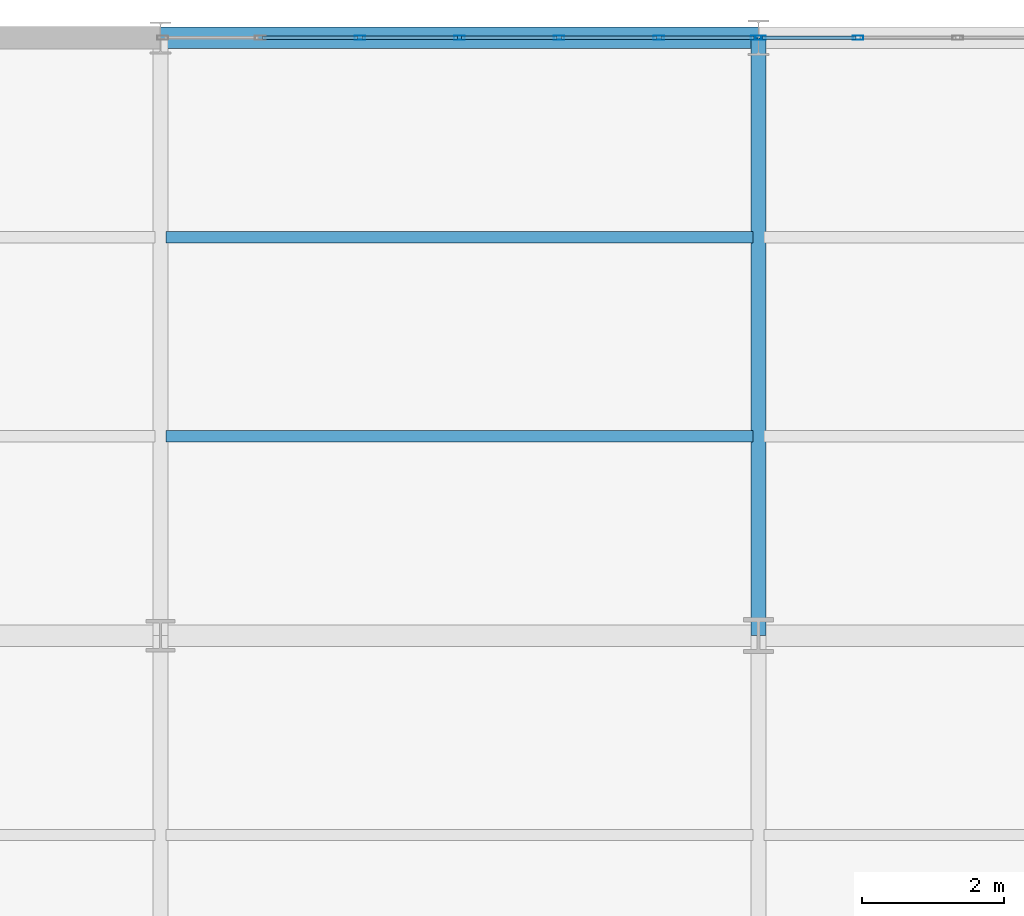
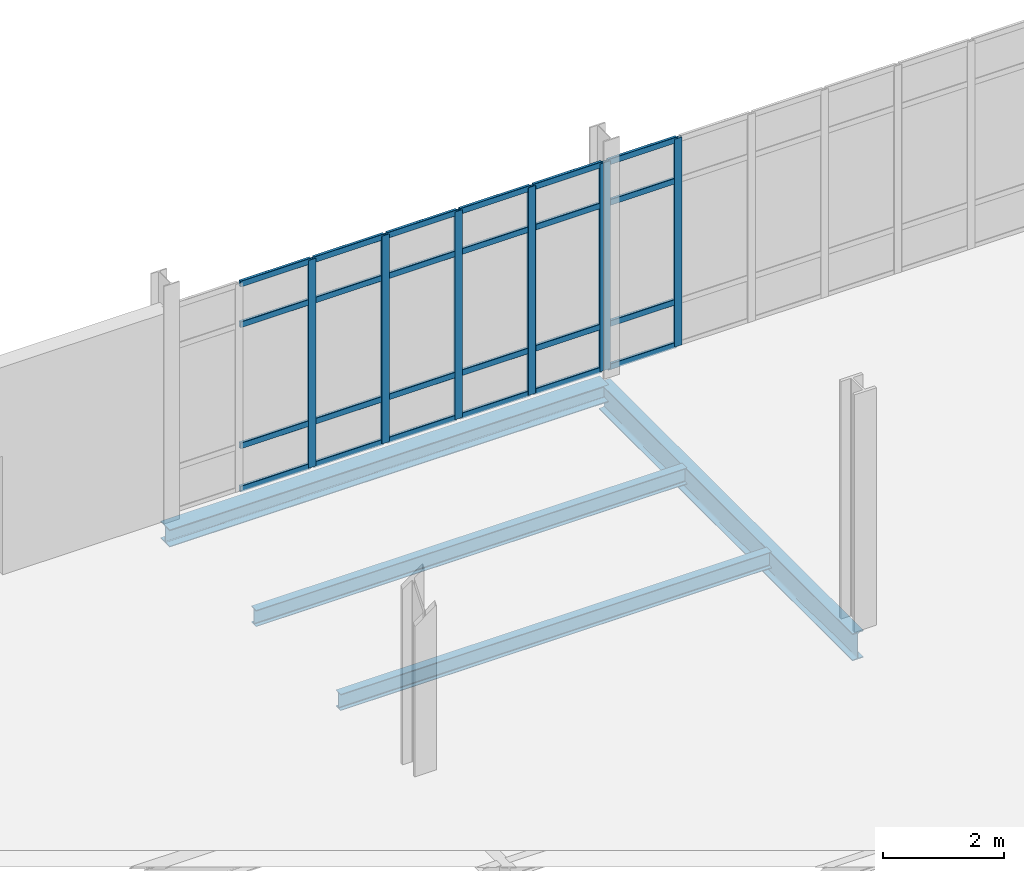
# One storey, part 91 of 145: 31 members, 4 beams, 2 elements without a shape of their own.
"""IFC4 building model written with IfcOpenShell, lengths in metres."""

import ifcopenshell
import ifcopenshell.guid

model = None  # the IFC model being written
_history = None  # IfcOwnerHistory: only IFC2X3 demands one
_inside = {}  # id of a spatial element -> (the spatial element, [elements in it])
_under = {}  # id of a project, library or spatial element -> (it, [spatial elements below it])
_declared = {}  # id of a project -> (the project, [libraries it declares])
_typed = {}  # id of a type object -> (the type object, [elements of that type])
_made_of = {}  # id of a material, layer set ... -> (it, [elements and type objects made of it])


def new_model(schema):
    """Start an empty IFC model of exactly this schema.

    Asked for "IFC4X3", IfcOpenShell would pick the latest addendum, in which some entities
    have other attributes; the version numbers below select the first issue.
    IFC2X3 requires an IfcOwnerHistory on every rooted entity: one is made here for all.
    """
    global model, _history
    if schema == "IFC4X3":
        model = ifcopenshell.file(schema_version=(4, 3, 0, 0))
    else:
        model = ifcopenshell.file(schema=schema)
    _inside.clear()
    _under.clear()
    _declared.clear()
    _typed.clear()
    _made_of.clear()
    _history = None
    if model.schema == "IFC2X3":
        org = make("IfcOrganization", Name="unknown")
        user = make(
            "IfcPersonAndOrganization",
            ThePerson=make("IfcPerson", FamilyName="unknown"),
            TheOrganization=org,
        )
        app = make(
            "IfcApplication",
            ApplicationDeveloper=org,
            Version="unknown",
            ApplicationFullName="unknown",
            ApplicationIdentifier="unknown",
        )
        _history = make(
            "IfcOwnerHistory",
            OwningUser=user,
            OwningApplication=app,
            ChangeAction="ADDED",
            CreationDate=0,
        )
    return model


def make(cls, **values):
    """One entity of the class cls with the attributes given. An attribute that is None is left unset."""
    return model.create_entity(
        cls, **{name: value for name, value in values.items() if value is not None}
    )


def rooted(cls, **values):
    """An entity with a GlobalId (a new one), such as an element, a storey or a relation."""
    return make(cls, GlobalId=ifcopenshell.guid.new(), OwnerHistory=_history, **values)


def si_unit(unit_type, name, prefix=None):
    """IfcSIUnit, for example si_unit("LENGTHUNIT", "METRE", prefix="MILLI")."""
    return make("IfcSIUnit", UnitType=unit_type, Prefix=prefix, Name=name)


def assignment(units):
    """IfcUnitAssignment: the units of a project."""
    return None if units is None else make("IfcUnitAssignment", Units=units)


def point(xyz):
    """IfcCartesianPoint."""
    return None if xyz is None else make("IfcCartesianPoint", Coordinates=xyz)


def direction(xyz):
    """IfcDirection."""
    return None if xyz is None else make("IfcDirection", DirectionRatios=xyz)


def frame(location, z_axis=None, x_axis=None):
    """IfcAxis2Placement3D, a coordinate frame: its origin and axes. An axis left out is left unset."""
    return make(
        "IfcAxis2Placement3D",
        Location=point(location),
        Axis=direction(z_axis),
        RefDirection=direction(x_axis),
    )


def frame_2d(location, x_axis=None):
    """IfcAxis2Placement2D, a coordinate frame in the plane: its origin and x axis."""
    return make(
        "IfcAxis2Placement2D", Location=point(location), RefDirection=direction(x_axis)
    )


def origin():
    """The frame at (0, 0, 0) with its axes left unset."""
    return frame((0.0, 0.0, 0.0))


def origin_2d():
    """The frame at (0, 0) in the plane with its x axis left unset."""
    return frame_2d((0.0, 0.0))


def place(relative_to, where):
    """IfcLocalPlacement: puts the frame where relative to a parent placement (None: the world)."""
    return make(
        "IfcLocalPlacement", PlacementRelTo=relative_to, RelativePlacement=where
    )


def context(
    kind, dimensions, precision=None, world=None, true_north=None, identifier=None
):
    """IfcGeometricRepresentationContext, for example the 3D "Model" context."""
    return make(
        "IfcGeometricRepresentationContext",
        ContextIdentifier=identifier,
        ContextType=kind,
        CoordinateSpaceDimension=dimensions,
        Precision=precision,
        WorldCoordinateSystem=world,
        TrueNorth=true_north,
    )


def subcontext(parent, identifier, kind, view, scale=None):
    """IfcGeometricRepresentationSubContext, for example "Body" below "Model"."""
    return make(
        "IfcGeometricRepresentationSubContext",
        ContextIdentifier=identifier,
        ContextType=kind,
        ParentContext=parent,
        TargetScale=scale,
        TargetView=view,
    )


def project(units=None, contexts=None):
    """IfcProject with its units and contexts."""
    return rooted(
        "IfcProject",
        Name="project",
        RepresentationContexts=contexts,
        UnitsInContext=assignment(units),
    )


def spatial(cls, under=None, at=None, **own):
    """A site, building, storey or space (cls), placed at a placement, below another one or the project."""
    s = rooted(cls, ObjectPlacement=at, **own)
    if under is not None:
        _under.setdefault(under.id(), (under, []))[1].append(s)
    return s


def profile(cls, at=None, kind="AREA", **sizes):
    """A parametric profile (cls). Its sizes go by their IFC names, for example OverallWidth=200.0."""
    return make(cls, ProfileType=kind, Position=at, **sizes)


def hollow_rectangle(**sizes):
    """IfcRectangleHollowProfileDef."""
    return profile("IfcRectangleHollowProfileDef", **sizes)


def i_section(**sizes):
    """IfcIShapeProfileDef."""
    return profile("IfcIShapeProfileDef", **sizes)


def extrude(swept, where, along, depth):
    """IfcExtrudedAreaSolid: the profile swept, set in the frame where, extruded along a direction by depth."""
    return make(
        "IfcExtrudedAreaSolid",
        SweptArea=swept,
        Position=where,
        ExtrudedDirection=direction(along),
        Depth=depth,
    )


def shape(context_of_items, identifier, shape_type, items):
    """IfcShapeRepresentation: the items that make up one representation, for example the "Body"."""
    return make(
        "IfcShapeRepresentation",
        ContextOfItems=context_of_items,
        RepresentationIdentifier=identifier,
        RepresentationType=shape_type,
        Items=items,
    )


def material(Name=None, Category=None):
    """IfcMaterial."""
    return make("IfcMaterial", Name=Name, Category=Category)


def layer(
    of_material, thickness, ventilated=None, Name=None, Category=None, Priority=None
):
    """IfcMaterialLayer: one layer of a wall or slab, of a material (None: an air gap)."""
    return make(
        "IfcMaterialLayer",
        Material=of_material,
        LayerThickness=thickness,
        IsVentilated=ventilated,
        Name=Name,
        Category=Category,
        Priority=Priority,
    )


def layer_set(layers, Name=None):
    """IfcMaterialLayerSet."""
    return make("IfcMaterialLayerSet", MaterialLayers=layers, LayerSetName=Name)


def material_profile(
    of_material, cross_section, Name=None, Category=None, Priority=None
):
    """IfcMaterialProfile: a cross section and its material."""
    return make(
        "IfcMaterialProfile",
        Name=Name,
        Material=of_material,
        Profile=cross_section,
        Priority=Priority,
        Category=Category,
    )


def profile_set(profiles, Name=None, composite=None):
    """IfcMaterialProfileSet."""
    return make(
        "IfcMaterialProfileSet",
        Name=Name,
        MaterialProfiles=profiles,
        CompositeProfile=composite,
    )


def made_of(thing, what):
    """Note that an element or type object is made of a material, layer set ...; save() writes the relation."""
    if what is not None:
        _made_of.setdefault(what.id(), (what, []))[1].append(thing)
    return thing


def type_object(cls, material=None, **own):
    """A type object (cls), such as IfcWallType, which elements share."""
    return made_of(rooted(cls, **own), material)


def element(
    cls,
    number,
    at=None,
    inside=None,
    cuts=None,
    type_object=None,
    material=None,
    context=None,
    identifier="Body",
    shape_type=None,
    held_by="IfcProductDefinitionShape",
    body=None,
    shapes=None,
    **own,
):
    """One element of the class cls, such as IfcWall. Its Tag is "e" and its number.

    at: its placement. inside: the storey or other place that contains it. cuts: it is an
    opening in that element (IfcRelVoidsElement). A single representation is given by context,
    identifier, shape_type and body (its items); several are given by shapes. held_by: the class
    of the entity that holds the representations. save() writes the other relations.
    """
    e = rooted(cls, Tag="e%d" % number, ObjectPlacement=at, **own)
    if body is not None:
        shapes = [shape(context, identifier, shape_type, body)]
    if shapes is not None:
        e.Representation = make(held_by, Representations=shapes)
    if inside is not None:
        _inside.setdefault(inside.id(), (inside, []))[1].append(e)
    if cuts is not None:
        rooted(
            "IfcRelVoidsElement", RelatingBuildingElement=cuts, RelatedOpeningElement=e
        )
    if type_object is not None:
        _typed.setdefault(type_object.id(), (type_object, []))[1].append(e)
    return made_of(e, material)


def aggregate(whole, parts):
    """IfcRelAggregates: a whole, such as a stair, and the parts it consists of."""
    return rooted("IfcRelAggregates", RelatingObject=whole, RelatedObjects=parts)


def save(model, path):
    """Write the relations noted so far, then the file.

    IfcRelAggregates (storeys below a building ...), IfcRelContainedInSpatialStructure (elements
    in a storey), IfcRelDefinesByType, IfcRelAssociatesMaterial and IfcRelDeclares: one each for
    every whole, place, type object, material and project.
    """
    for whole, parts in _under.values():
        aggregate(whole, parts)
    for where, things in _inside.values():
        rooted(
            "IfcRelContainedInSpatialStructure",
            RelatedElements=things,
            RelatingStructure=where,
        )
    for kind, things in _typed.values():
        rooted("IfcRelDefinesByType", RelatedObjects=things, RelatingType=kind)
    for what, things in _made_of.values():
        rooted("IfcRelAssociatesMaterial", RelatedObjects=things, RelatingMaterial=what)
    for by, libraries in _declared.values():
        rooted("IfcRelDeclares", RelatingContext=by, RelatedDefinitions=libraries)
    model.write(path)


model = new_model("IFC4")

# Units and contexts
model_context = context("Model", 3, precision=1e-05, world=origin(), true_north=direction((0.0, 1.0)))
body_context = subcontext(model_context, "Body", "Model", "MODEL_VIEW")
ifc_project = project(units=[si_unit("LENGTHUNIT", "METRE"), si_unit("AREAUNIT", "SQUARE_METRE"), si_unit("VOLUMEUNIT", "CUBIC_METRE"), si_unit("PLANEANGLEUNIT", "RADIAN"), si_unit("MASSUNIT", "GRAM", prefix="KILO")], contexts=[model_context])

# Site, building, storey
site_placement = place(None, origin())
site = spatial("IfcSite", under=ifc_project, at=site_placement, CompositionType="ELEMENT")
building_placement = place(site_placement, origin())
building = spatial("IfcBuilding", under=site, at=building_placement, Name="Qalvenar Corner Mobility Hub", CompositionType="ELEMENT")
storey_placement = place(building_placement, origin())
storey = spatial("IfcBuildingStorey", under=building, at=storey_placement, Name="L00", CompositionType="ELEMENT", Elevation=0.0)

# Beams
ifc_material_1 = material(Name="Steel S355", Category="steel")
ifc_material_profile_1 = material_profile(ifc_material_1, i_section(OverallWidth=0.2099609375, OverallDepth=0.550048828125, WebThickness=0.010986328125, FlangeThickness=0.01708984375, FilletRadius=0.02392578125, at=origin_2d()), Name="IPE550")
ifc_profile_set_1 = profile_set([ifc_material_profile_1], Name="Steel S355")
beam_type_1 = type_object("IfcBeamType", Name="BM-IPE550", PredefinedType="BEAM", material=ifc_profile_set_1)
beam_1_placement = place(storey_placement, frame((117.60009765625, 109.199951171875, -0.4951171875), z_axis=(0.0, 1.0, 0.0), x_axis=(-1.0, 0.0, 0.0)))
element("IfcBeam", 1, at=beam_1_placement, inside=storey, type_object=beam_type_1, Name="Primary Steel Girder GY-0634", PredefinedType="BEAM", context=body_context, shape_type="SweptSolid", body=[
    extrude(i_section(OverallWidth=0.2099609375, OverallDepth=0.550048828125, WebThickness=0.010986328125, FlangeThickness=0.01708984375, FilletRadius=0.02392578125, at=origin_2d()), origin(), (0.0, 0.0, 1.0), 8.400146484375),
])
ifc_material_profile_2 = material_profile(ifc_material_1, i_section(OverallWidth=0.159912109375, OverallDepth=0.330078125, WebThickness=0.007568359375, FlangeThickness=0.011474609375, FilletRadius=0.01806640625, at=origin_2d()), Name="IPE330")
ifc_profile_set_2 = profile_set([ifc_material_profile_2], Name="Steel S355")
beam_type_2 = type_object("IfcBeamType", Name="BM-JST330", PredefinedType="JOIST", material=ifc_profile_set_2)
for number, where, z_axis, x_axis, name in (
    (2, (109.278076171875, 112.0, -0.385009765625), (1.0, 0.0, 0.0), (0.0, 1.0, 0.0), "Composite Floor Joist J-0727"),
    (3, (109.278076171875, 114.800048828125, -0.385009765625), (1.0, 0.0, 0.0), (0.0, 1.0, 0.0), "Composite Floor Joist J-0728"),
):
    element("IfcBeam", number, at=place(storey_placement, frame(where, z_axis=z_axis, x_axis=x_axis)), inside=storey, type_object=beam_type_2, Name=name, PredefinedType="JOIST", context=body_context, shape_type="SweptSolid", body=[
        extrude(i_section(OverallWidth=0.159912109375, OverallDepth=0.330078125, WebThickness=0.007568359375, FlangeThickness=0.011474609375, FilletRadius=0.01806640625, at=origin_2d()), origin(), (0.0, 0.0, 1.0), 8.243896484375),
    ])
ifc_material_profile_3 = material_profile(ifc_material_1, i_section(OverallWidth=0.300048828125, OverallDepth=0.35009765625, WebThickness=0.010009765625, FlangeThickness=0.017578125, FilletRadius=0.027099609375, at=origin_2d()), Name="HEA360")
ifc_profile_set_3 = profile_set([ifc_material_profile_3], Name="Steel S355")
beam_type_3 = type_object("IfcBeamType", Name="BM-SPN360", PredefinedType="SPANDREL", material=ifc_profile_set_3)
beam_2_placement = place(storey_placement, frame((109.199951171875, 117.60009765625, -0.39501953125), z_axis=(1.0, 0.0, 0.0), x_axis=(0.0, 1.0, 0.0)))
element("IfcBeam", 4, at=beam_2_placement, inside=storey, type_object=beam_type_3, Name="Primary Steel Girder GX-0586", PredefinedType="SPANDREL", context=body_context, shape_type="SweptSolid", body=[
    extrude(i_section(OverallWidth=0.300048828125, OverallDepth=0.35009765625, WebThickness=0.010009765625, FlangeThickness=0.017578125, FilletRadius=0.027099609375, at=origin_2d()), origin(), (0.0, 0.0, 1.0), 8.400146484375),
])

# Curtain wall, members
ifc_material_2 = material(Name="Anodised Aluminium and Low-E Glazing", Category="aluminium")
ifc_layer = layer(ifc_material_2, 0.14990234375)
ifc_layer_set = layer_set([ifc_layer], Name="Anodised Aluminium and Low-E Glazing")
curtain_wall_type = type_object("IfcCurtainWallType", Name="CW-MOB-84X46", PredefinedType="NOTDEFINED", material=ifc_layer_set)
curtain_wall_1_placement = place(storey_placement, origin())
curtain_wall_1 = element("IfcCurtainWall", 5, at=curtain_wall_1_placement, inside=storey, type_object=curtain_wall_type, Name="Glazed Curtain Wall CW-V4-L00-N6", PredefinedType="NOTDEFINED")
ifc_material_3 = material(Name="Anodised Aluminium 6063-T6", Category="aluminium")
ifc_material_profile_4 = material_profile(ifc_material_3, hollow_rectangle(XDim=0.06005859375, YDim=0.14990234375, WallThickness=0.00390625, InnerFilletRadius=0.00390625, OuterFilletRadius=0.008056640625, at=origin_2d()), Name="RHS150x60x4")
ifc_profile_set_4 = profile_set([ifc_material_profile_4], Name="Anodised Aluminium 6063-T6")
member_type_1 = type_object("IfcMemberType", Name="CW-MUL150", PredefinedType="MULLION", material=ifc_profile_set_4)
member_1_placement = place(storey_placement, frame((117.570068359375, 117.60009765625, 0.0), z_axis=(0.0, 0.0, 1.0), x_axis=(0.0, -1.0, 0.0)))
member_1 = element("IfcMember", 6, at=member_1_placement, type_object=member_type_1, Name="CW-03 mullion 1", PredefinedType="MULLION", context=body_context, shape_type="SweptSolid", body=[
    extrude(hollow_rectangle(XDim=0.06005859375, YDim=0.14990234375, WallThickness=0.00390625, InnerFilletRadius=0.00390625, OuterFilletRadius=0.008056640625, at=origin_2d()), origin(), (0.0, 0.0, 1.0), 4.199951171875),
])
member_2_placement = place(storey_placement, frame((116.199951171875, 117.60009765625, 0.0), z_axis=(0.0, 0.0, 1.0), x_axis=(0.0, -1.0, 0.0)))
member_2 = element("IfcMember", 7, at=member_2_placement, type_object=member_type_1, Name="CW-03 mullion 2", PredefinedType="MULLION", context=body_context, shape_type="SweptSolid", body=[
    extrude(hollow_rectangle(XDim=0.06005859375, YDim=0.14990234375, WallThickness=0.00390625, InnerFilletRadius=0.00390625, OuterFilletRadius=0.008056640625, at=origin_2d()), origin(), (0.0, 0.0, 1.0), 4.199951171875),
])
member_3_placement = place(storey_placement, frame((114.800048828125, 117.60009765625, 0.0), z_axis=(0.0, 0.0, 1.0), x_axis=(0.0, -1.0, 0.0)))
member_3 = element("IfcMember", 8, at=member_3_placement, type_object=member_type_1, Name="CW-03 mullion 3", PredefinedType="MULLION", context=body_context, shape_type="SweptSolid", body=[
    extrude(hollow_rectangle(XDim=0.06005859375, YDim=0.14990234375, WallThickness=0.00390625, InnerFilletRadius=0.00390625, OuterFilletRadius=0.008056640625, at=origin_2d()), origin(), (0.0, 0.0, 1.0), 4.199951171875),
])
member_4_placement = place(storey_placement, frame((113.39990234375, 117.60009765625, 0.0), z_axis=(0.0, 0.0, 1.0), x_axis=(0.0, -1.0, 0.0)))
member_4 = element("IfcMember", 9, at=member_4_placement, type_object=member_type_1, Name="CW-03 mullion 4", PredefinedType="MULLION", context=body_context, shape_type="SweptSolid", body=[
    extrude(hollow_rectangle(XDim=0.06005859375, YDim=0.14990234375, WallThickness=0.00390625, InnerFilletRadius=0.00390625, OuterFilletRadius=0.008056640625, at=origin_2d()), origin(), (0.0, 0.0, 1.0), 4.199951171875),
])
member_5_placement = place(storey_placement, frame((112.0, 117.60009765625, 0.0), z_axis=(0.0, 0.0, 1.0), x_axis=(0.0, -1.0, 0.0)))
member_5 = element("IfcMember", 10, at=member_5_placement, type_object=member_type_1, Name="CW-03 mullion 5", PredefinedType="MULLION", context=body_context, shape_type="SweptSolid", body=[
    extrude(hollow_rectangle(XDim=0.06005859375, YDim=0.14990234375, WallThickness=0.00390625, InnerFilletRadius=0.00390625, OuterFilletRadius=0.008056640625, at=origin_2d()), origin(), (0.0, 0.0, 1.0), 4.199951171875),
])

curtain_wall_2_placement = place(storey_placement, origin())
curtain_wall_2 = element("IfcCurtainWall", 11, at=curtain_wall_2_placement, inside=storey, type_object=curtain_wall_type, Name="Glazed Curtain Wall CW-V4-L00-N7", PredefinedType="NOTDEFINED")
member_6_placement = place(storey_placement, frame((119.0, 117.60009765625, 0.0), z_axis=(0.0, 0.0, 1.0), x_axis=(0.0, -1.0, 0.0)))
member_6 = element("IfcMember", 12, at=member_6_placement, type_object=member_type_1, Name="CW-03 mullion 6", PredefinedType="MULLION", context=body_context, shape_type="SweptSolid", body=[
    extrude(hollow_rectangle(XDim=0.06005859375, YDim=0.14990234375, WallThickness=0.00390625, InnerFilletRadius=0.00390625, OuterFilletRadius=0.008056640625, at=origin_2d()), origin(), (0.0, 0.0, 1.0), 4.199951171875),
])
member_7_placement = place(storey_placement, frame((117.6298828125, 117.60009765625, 0.0), z_axis=(0.0, 0.0, 1.0), x_axis=(0.0, -1.0, 0.0)))
member_7 = element("IfcMember", 13, at=member_7_placement, type_object=member_type_1, Name="CW-03 mullion 7", PredefinedType="MULLION", context=body_context, shape_type="SweptSolid", body=[
    extrude(hollow_rectangle(XDim=0.06005859375, YDim=0.14990234375, WallThickness=0.00390625, InnerFilletRadius=0.00390625, OuterFilletRadius=0.008056640625, at=origin_2d()), origin(), (0.0, 0.0, 1.0), 4.199951171875),
])

# Member
ifc_material_profile_5 = material_profile(ifc_material_3, hollow_rectangle(XDim=0.054931640625, YDim=0.1201171875, WallThickness=0.00341796875, InnerFilletRadius=0.00341796875, OuterFilletRadius=0.007080078125, at=origin_2d()), Name="RHS120x55x3.5")
ifc_profile_set_5 = profile_set([ifc_material_profile_5], Name="Anodised Aluminium 6063-T6")
member_type_2 = type_object("IfcMemberType", Name="CW-TRN120", PredefinedType="USERDEFINED", material=ifc_profile_set_5)
member_8_placement = place(storey_placement, frame((117.5400390625, 117.60009765625, 0.027587890625), z_axis=(-1.0, 0.0, 0.0), x_axis=(0.0, -1.0, 0.0)))
member_8 = element("IfcMember", 14, at=member_8_placement, type_object=member_type_2, Name="CW-03 transom 1.1", ObjectType="TRANSOM", PredefinedType="USERDEFINED", context=body_context, shape_type="SweptSolid", body=[
    extrude(hollow_rectangle(XDim=0.054931640625, YDim=0.1201171875, WallThickness=0.00341796875, InnerFilletRadius=0.00341796875, OuterFilletRadius=0.007080078125, at=origin_2d()), origin(), (0.0, 0.0, 1.0), 1.31005859375),
])

member_9_placement = place(storey_placement, frame((117.5400390625, 117.60009765625, 0.89990234375), z_axis=(-1.0, 0.0, 0.0), x_axis=(0.0, -1.0, 0.0)))
member_9 = element("IfcMember", 15, at=member_9_placement, type_object=member_type_2, Name="CW-03 transom 1.2", ObjectType="TRANSOM", PredefinedType="USERDEFINED", context=body_context, shape_type="SweptSolid", body=[
    extrude(hollow_rectangle(XDim=0.054931640625, YDim=0.1201171875, WallThickness=0.00341796875, InnerFilletRadius=0.00341796875, OuterFilletRadius=0.007080078125, at=origin_2d()), origin(), (0.0, 0.0, 1.0), 1.31005859375),
])

member_10_placement = place(storey_placement, frame((117.5400390625, 117.60009765625, 3.35009765625), z_axis=(-1.0, 0.0, 0.0), x_axis=(0.0, -1.0, 0.0)))
member_10 = element("IfcMember", 16, at=member_10_placement, type_object=member_type_2, Name="CW-03 transom 1.3", ObjectType="TRANSOM", PredefinedType="USERDEFINED", context=body_context, shape_type="SweptSolid", body=[
    extrude(hollow_rectangle(XDim=0.054931640625, YDim=0.1201171875, WallThickness=0.00341796875, InnerFilletRadius=0.00341796875, OuterFilletRadius=0.007080078125, at=origin_2d()), origin(), (0.0, 0.0, 1.0), 1.31005859375),
])

member_11_placement = place(storey_placement, frame((117.5400390625, 117.60009765625, 4.172607421875), z_axis=(-1.0, 0.0, 0.0), x_axis=(0.0, -1.0, 0.0)))
member_11 = element("IfcMember", 17, at=member_11_placement, type_object=member_type_2, Name="CW-03 transom 1.4", ObjectType="TRANSOM", PredefinedType="USERDEFINED", context=body_context, shape_type="SweptSolid", body=[
    extrude(hollow_rectangle(XDim=0.054931640625, YDim=0.1201171875, WallThickness=0.00341796875, InnerFilletRadius=0.00341796875, OuterFilletRadius=0.007080078125, at=origin_2d()), origin(), (0.0, 0.0, 1.0), 1.31005859375),
])

member_12_placement = place(storey_placement, frame((116.169921875, 117.60009765625, 0.027587890625), z_axis=(-1.0, 0.0, 0.0), x_axis=(0.0, -1.0, 0.0)))
member_12 = element("IfcMember", 18, at=member_12_placement, type_object=member_type_2, Name="CW-03 transom 2.1", ObjectType="TRANSOM", PredefinedType="USERDEFINED", context=body_context, shape_type="SweptSolid", body=[
    extrude(hollow_rectangle(XDim=0.054931640625, YDim=0.1201171875, WallThickness=0.00341796875, InnerFilletRadius=0.00341796875, OuterFilletRadius=0.007080078125, at=origin_2d()), origin(), (0.0, 0.0, 1.0), 1.33984375),
])

member_13_placement = place(storey_placement, frame((116.169921875, 117.60009765625, 0.89990234375), z_axis=(-1.0, 0.0, 0.0), x_axis=(0.0, -1.0, 0.0)))
member_13 = element("IfcMember", 19, at=member_13_placement, type_object=member_type_2, Name="CW-03 transom 2.2", ObjectType="TRANSOM", PredefinedType="USERDEFINED", context=body_context, shape_type="SweptSolid", body=[
    extrude(hollow_rectangle(XDim=0.054931640625, YDim=0.1201171875, WallThickness=0.00341796875, InnerFilletRadius=0.00341796875, OuterFilletRadius=0.007080078125, at=origin_2d()), origin(), (0.0, 0.0, 1.0), 1.33984375),
])

member_14_placement = place(storey_placement, frame((116.169921875, 117.60009765625, 3.35009765625), z_axis=(-1.0, 0.0, 0.0), x_axis=(0.0, -1.0, 0.0)))
member_14 = element("IfcMember", 20, at=member_14_placement, type_object=member_type_2, Name="CW-03 transom 2.3", ObjectType="TRANSOM", PredefinedType="USERDEFINED", context=body_context, shape_type="SweptSolid", body=[
    extrude(hollow_rectangle(XDim=0.054931640625, YDim=0.1201171875, WallThickness=0.00341796875, InnerFilletRadius=0.00341796875, OuterFilletRadius=0.007080078125, at=origin_2d()), origin(), (0.0, 0.0, 1.0), 1.33984375),
])

member_15_placement = place(storey_placement, frame((116.169921875, 117.60009765625, 4.172607421875), z_axis=(-1.0, 0.0, 0.0), x_axis=(0.0, -1.0, 0.0)))
member_15 = element("IfcMember", 21, at=member_15_placement, type_object=member_type_2, Name="CW-03 transom 2.4", ObjectType="TRANSOM", PredefinedType="USERDEFINED", context=body_context, shape_type="SweptSolid", body=[
    extrude(hollow_rectangle(XDim=0.054931640625, YDim=0.1201171875, WallThickness=0.00341796875, InnerFilletRadius=0.00341796875, OuterFilletRadius=0.007080078125, at=origin_2d()), origin(), (0.0, 0.0, 1.0), 1.33984375),
])

member_16_placement = place(storey_placement, frame((114.77001953125, 117.60009765625, 0.027587890625), z_axis=(-1.0, 0.0, 0.0), x_axis=(0.0, -1.0, 0.0)))
member_16 = element("IfcMember", 22, at=member_16_placement, type_object=member_type_2, Name="CW-03 transom 3.1", ObjectType="TRANSOM", PredefinedType="USERDEFINED", context=body_context, shape_type="SweptSolid", body=[
    extrude(hollow_rectangle(XDim=0.054931640625, YDim=0.1201171875, WallThickness=0.00341796875, InnerFilletRadius=0.00341796875, OuterFilletRadius=0.007080078125, at=origin_2d()), origin(), (0.0, 0.0, 1.0), 1.340087890625),
])

member_17_placement = place(storey_placement, frame((114.77001953125, 117.60009765625, 0.89990234375), z_axis=(-1.0, 0.0, 0.0), x_axis=(0.0, -1.0, 0.0)))
member_17 = element("IfcMember", 23, at=member_17_placement, type_object=member_type_2, Name="CW-03 transom 3.2", ObjectType="TRANSOM", PredefinedType="USERDEFINED", context=body_context, shape_type="SweptSolid", body=[
    extrude(hollow_rectangle(XDim=0.054931640625, YDim=0.1201171875, WallThickness=0.00341796875, InnerFilletRadius=0.00341796875, OuterFilletRadius=0.007080078125, at=origin_2d()), origin(), (0.0, 0.0, 1.0), 1.340087890625),
])

member_18_placement = place(storey_placement, frame((114.77001953125, 117.60009765625, 3.35009765625), z_axis=(-1.0, 0.0, 0.0), x_axis=(0.0, -1.0, 0.0)))
member_18 = element("IfcMember", 24, at=member_18_placement, type_object=member_type_2, Name="CW-03 transom 3.3", ObjectType="TRANSOM", PredefinedType="USERDEFINED", context=body_context, shape_type="SweptSolid", body=[
    extrude(hollow_rectangle(XDim=0.054931640625, YDim=0.1201171875, WallThickness=0.00341796875, InnerFilletRadius=0.00341796875, OuterFilletRadius=0.007080078125, at=origin_2d()), origin(), (0.0, 0.0, 1.0), 1.340087890625),
])

member_19_placement = place(storey_placement, frame((114.77001953125, 117.60009765625, 4.172607421875), z_axis=(-1.0, 0.0, 0.0), x_axis=(0.0, -1.0, 0.0)))
member_19 = element("IfcMember", 25, at=member_19_placement, type_object=member_type_2, Name="CW-03 transom 3.4", ObjectType="TRANSOM", PredefinedType="USERDEFINED", context=body_context, shape_type="SweptSolid", body=[
    extrude(hollow_rectangle(XDim=0.054931640625, YDim=0.1201171875, WallThickness=0.00341796875, InnerFilletRadius=0.00341796875, OuterFilletRadius=0.007080078125, at=origin_2d()), origin(), (0.0, 0.0, 1.0), 1.340087890625),
])

member_20_placement = place(storey_placement, frame((113.3701171875, 117.60009765625, 0.027587890625), z_axis=(-1.0, 0.0, 0.0), x_axis=(0.0, -1.0, 0.0)))
member_20 = element("IfcMember", 26, at=member_20_placement, type_object=member_type_2, Name="CW-03 transom 4.1", ObjectType="TRANSOM", PredefinedType="USERDEFINED", context=body_context, shape_type="SweptSolid", body=[
    extrude(hollow_rectangle(XDim=0.054931640625, YDim=0.1201171875, WallThickness=0.00341796875, InnerFilletRadius=0.00341796875, OuterFilletRadius=0.007080078125, at=origin_2d()), origin(), (0.0, 0.0, 1.0), 1.340087890625),
])

member_21_placement = place(storey_placement, frame((113.3701171875, 117.60009765625, 0.89990234375), z_axis=(-1.0, 0.0, 0.0), x_axis=(0.0, -1.0, 0.0)))
member_21 = element("IfcMember", 27, at=member_21_placement, type_object=member_type_2, Name="CW-03 transom 4.2", ObjectType="TRANSOM", PredefinedType="USERDEFINED", context=body_context, shape_type="SweptSolid", body=[
    extrude(hollow_rectangle(XDim=0.054931640625, YDim=0.1201171875, WallThickness=0.00341796875, InnerFilletRadius=0.00341796875, OuterFilletRadius=0.007080078125, at=origin_2d()), origin(), (0.0, 0.0, 1.0), 1.340087890625),
])

member_22_placement = place(storey_placement, frame((113.3701171875, 117.60009765625, 3.35009765625), z_axis=(-1.0, 0.0, 0.0), x_axis=(0.0, -1.0, 0.0)))
member_22 = element("IfcMember", 28, at=member_22_placement, type_object=member_type_2, Name="CW-03 transom 4.3", ObjectType="TRANSOM", PredefinedType="USERDEFINED", context=body_context, shape_type="SweptSolid", body=[
    extrude(hollow_rectangle(XDim=0.054931640625, YDim=0.1201171875, WallThickness=0.00341796875, InnerFilletRadius=0.00341796875, OuterFilletRadius=0.007080078125, at=origin_2d()), origin(), (0.0, 0.0, 1.0), 1.340087890625),
])

member_23_placement = place(storey_placement, frame((113.3701171875, 117.60009765625, 4.172607421875), z_axis=(-1.0, 0.0, 0.0), x_axis=(0.0, -1.0, 0.0)))
member_23 = element("IfcMember", 29, at=member_23_placement, type_object=member_type_2, Name="CW-03 transom 4.4", ObjectType="TRANSOM", PredefinedType="USERDEFINED", context=body_context, shape_type="SweptSolid", body=[
    extrude(hollow_rectangle(XDim=0.054931640625, YDim=0.1201171875, WallThickness=0.00341796875, InnerFilletRadius=0.00341796875, OuterFilletRadius=0.007080078125, at=origin_2d()), origin(), (0.0, 0.0, 1.0), 1.340087890625),
])

member_24_placement = place(storey_placement, frame((111.969970703125, 117.60009765625, 0.027587890625), z_axis=(-1.0, 0.0, 0.0), x_axis=(0.0, -1.0, 0.0)))
member_24 = element("IfcMember", 30, at=member_24_placement, type_object=member_type_2, Name="CW-03 transom 5.1", ObjectType="TRANSOM", PredefinedType="USERDEFINED", context=body_context, shape_type="SweptSolid", body=[
    extrude(hollow_rectangle(XDim=0.054931640625, YDim=0.1201171875, WallThickness=0.00341796875, InnerFilletRadius=0.00341796875, OuterFilletRadius=0.007080078125, at=origin_2d()), origin(), (0.0, 0.0, 1.0), 1.340087890625),
])

member_25_placement = place(storey_placement, frame((111.969970703125, 117.60009765625, 0.89990234375), z_axis=(-1.0, 0.0, 0.0), x_axis=(0.0, -1.0, 0.0)))
member_25 = element("IfcMember", 31, at=member_25_placement, type_object=member_type_2, Name="CW-03 transom 5.2", ObjectType="TRANSOM", PredefinedType="USERDEFINED", context=body_context, shape_type="SweptSolid", body=[
    extrude(hollow_rectangle(XDim=0.054931640625, YDim=0.1201171875, WallThickness=0.00341796875, InnerFilletRadius=0.00341796875, OuterFilletRadius=0.007080078125, at=origin_2d()), origin(), (0.0, 0.0, 1.0), 1.340087890625),
])

member_26_placement = place(storey_placement, frame((111.969970703125, 117.60009765625, 3.35009765625), z_axis=(-1.0, 0.0, 0.0), x_axis=(0.0, -1.0, 0.0)))
member_26 = element("IfcMember", 32, at=member_26_placement, type_object=member_type_2, Name="CW-03 transom 5.3", ObjectType="TRANSOM", PredefinedType="USERDEFINED", context=body_context, shape_type="SweptSolid", body=[
    extrude(hollow_rectangle(XDim=0.054931640625, YDim=0.1201171875, WallThickness=0.00341796875, InnerFilletRadius=0.00341796875, OuterFilletRadius=0.007080078125, at=origin_2d()), origin(), (0.0, 0.0, 1.0), 1.340087890625),
])

member_27_placement = place(storey_placement, frame((111.969970703125, 117.60009765625, 4.172607421875), z_axis=(-1.0, 0.0, 0.0), x_axis=(0.0, -1.0, 0.0)))
member_27 = element("IfcMember", 33, at=member_27_placement, type_object=member_type_2, Name="CW-03 transom 5.4", ObjectType="TRANSOM", PredefinedType="USERDEFINED", context=body_context, shape_type="SweptSolid", body=[
    extrude(hollow_rectangle(XDim=0.054931640625, YDim=0.1201171875, WallThickness=0.00341796875, InnerFilletRadius=0.00341796875, OuterFilletRadius=0.007080078125, at=origin_2d()), origin(), (0.0, 0.0, 1.0), 1.340087890625),
])

aggregate(curtain_wall_1, [member_1, member_2, member_3, member_4, member_5, member_8, member_9, member_10, member_11, member_12, member_13, member_14, member_15, member_16, member_17, member_18, member_19, member_20, member_21, member_22, member_23, member_24, member_25, member_26, member_27])

member_28_placement = place(storey_placement, frame((118.969970703125, 117.60009765625, 0.027587890625), z_axis=(-1.0, 0.0, 0.0), x_axis=(0.0, -1.0, 0.0)))
member_28 = element("IfcMember", 34, at=member_28_placement, type_object=member_type_2, Name="CW-03 transom 6.1", ObjectType="TRANSOM", PredefinedType="USERDEFINED", context=body_context, shape_type="SweptSolid", body=[
    extrude(hollow_rectangle(XDim=0.054931640625, YDim=0.1201171875, WallThickness=0.00341796875, InnerFilletRadius=0.00341796875, OuterFilletRadius=0.007080078125, at=origin_2d()), origin(), (0.0, 0.0, 1.0), 1.31005859375),
])

member_29_placement = place(storey_placement, frame((118.969970703125, 117.60009765625, 0.89990234375), z_axis=(-1.0, 0.0, 0.0), x_axis=(0.0, -1.0, 0.0)))
member_29 = element("IfcMember", 35, at=member_29_placement, type_object=member_type_2, Name="CW-03 transom 6.2", ObjectType="TRANSOM", PredefinedType="USERDEFINED", context=body_context, shape_type="SweptSolid", body=[
    extrude(hollow_rectangle(XDim=0.054931640625, YDim=0.1201171875, WallThickness=0.00341796875, InnerFilletRadius=0.00341796875, OuterFilletRadius=0.007080078125, at=origin_2d()), origin(), (0.0, 0.0, 1.0), 1.31005859375),
])

member_30_placement = place(storey_placement, frame((118.969970703125, 117.60009765625, 3.35009765625), z_axis=(-1.0, 0.0, 0.0), x_axis=(0.0, -1.0, 0.0)))
member_30 = element("IfcMember", 36, at=member_30_placement, type_object=member_type_2, Name="CW-03 transom 6.3", ObjectType="TRANSOM", PredefinedType="USERDEFINED", context=body_context, shape_type="SweptSolid", body=[
    extrude(hollow_rectangle(XDim=0.054931640625, YDim=0.1201171875, WallThickness=0.00341796875, InnerFilletRadius=0.00341796875, OuterFilletRadius=0.007080078125, at=origin_2d()), origin(), (0.0, 0.0, 1.0), 1.31005859375),
])

member_31_placement = place(storey_placement, frame((118.969970703125, 117.60009765625, 4.172607421875), z_axis=(-1.0, 0.0, 0.0), x_axis=(0.0, -1.0, 0.0)))
member_31 = element("IfcMember", 37, at=member_31_placement, type_object=member_type_2, Name="CW-03 transom 6.4", ObjectType="TRANSOM", PredefinedType="USERDEFINED", context=body_context, shape_type="SweptSolid", body=[
    extrude(hollow_rectangle(XDim=0.054931640625, YDim=0.1201171875, WallThickness=0.00341796875, InnerFilletRadius=0.00341796875, OuterFilletRadius=0.007080078125, at=origin_2d()), origin(), (0.0, 0.0, 1.0), 1.31005859375),
])

aggregate(curtain_wall_2, [member_6, member_7, member_28, member_29, member_30, member_31])

save(model, "model.ifc")
